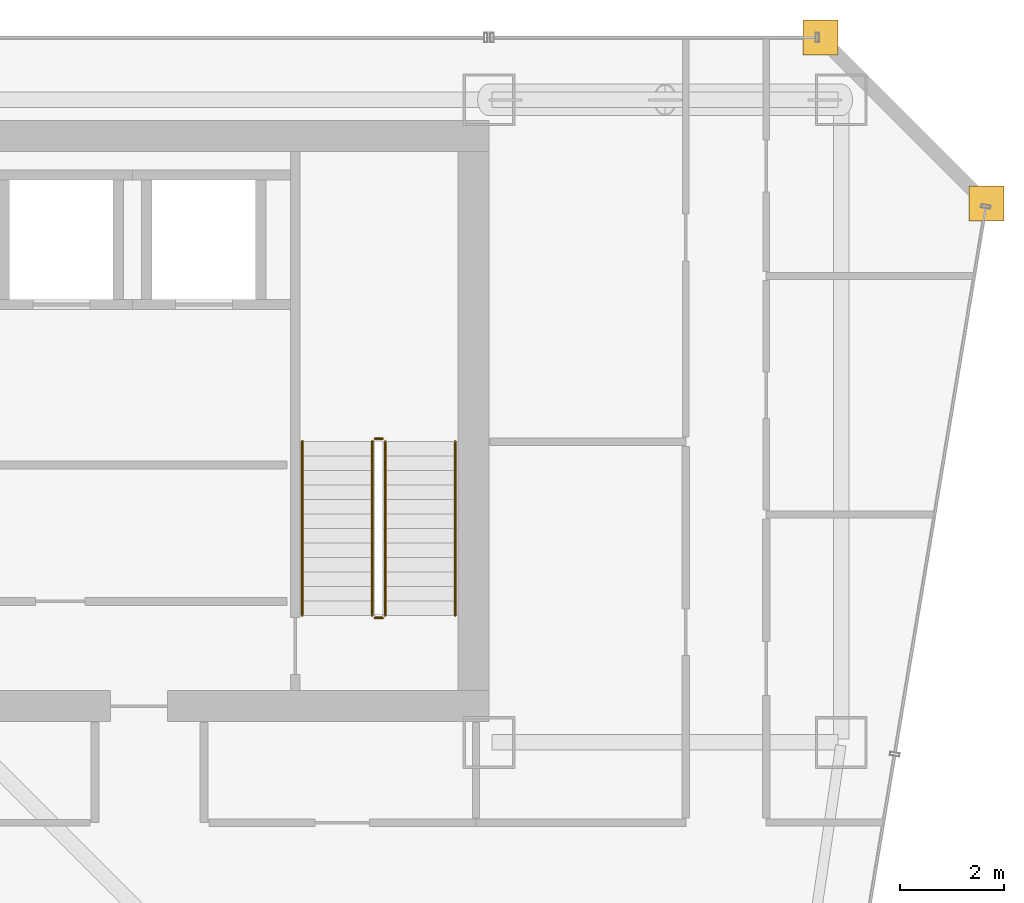
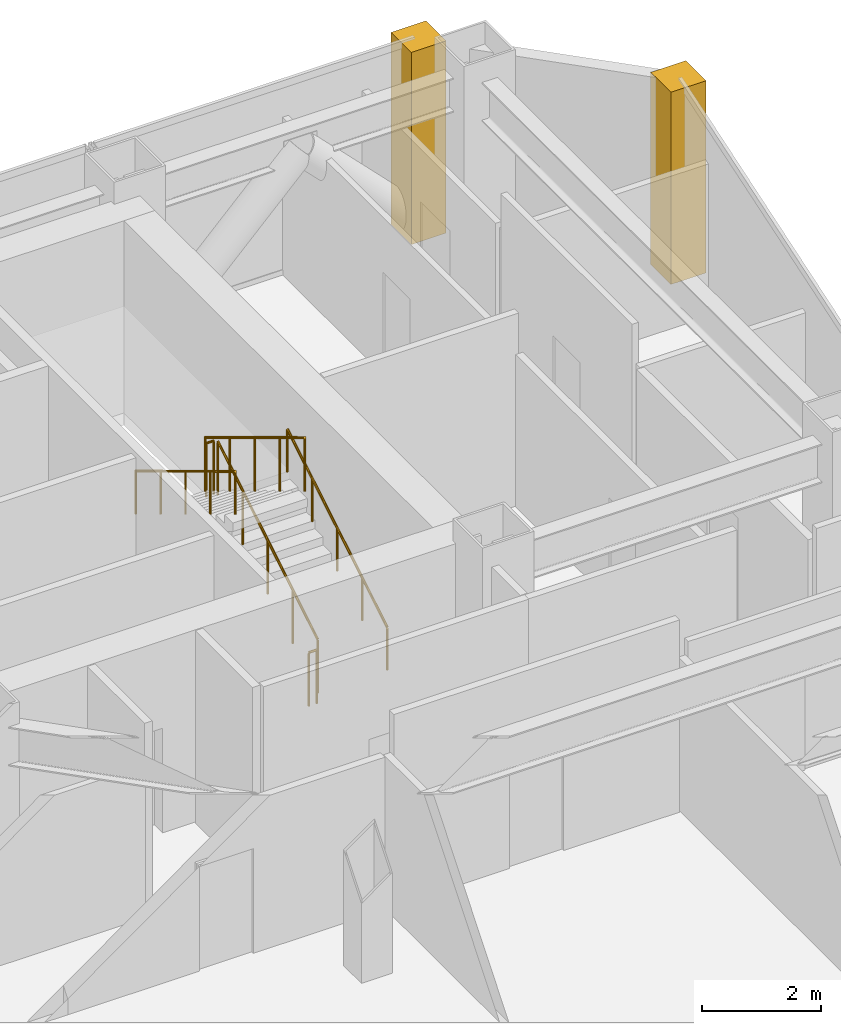
# One storey, part 36 of 36: 6 railings, 2 coverings.
"""IFC4 building model written with IfcOpenShell, lengths in metres."""

from ifc_helpers import new_model, si_unit, direction, frame, origin, origin_2d, place, context, subcontext, project, spatial, polyline, circle, outline, extrude, material, layer, layer_set, type_object, element, save


model = new_model("IFC4")

# Units and contexts
model_context = context("Model", 3, precision=1e-05, world=origin(), true_north=direction((0.0, 1.0)))
body_context = subcontext(model_context, "Body", "Model", "MODEL_VIEW")
ifc_project = project(units=[si_unit("LENGTHUNIT", "METRE"), si_unit("AREAUNIT", "SQUARE_METRE"), si_unit("VOLUMEUNIT", "CUBIC_METRE"), si_unit("PLANEANGLEUNIT", "RADIAN"), si_unit("MASSUNIT", "GRAM", prefix="KILO")], contexts=[model_context])

# Site, building, storey
site_placement = place(None, origin())
site = spatial("IfcSite", under=ifc_project, at=site_placement, CompositionType="ELEMENT")
building_placement = place(site_placement, origin())
building = spatial("IfcBuilding", under=site, at=building_placement, Name="Saevonmaru Cultural Tower", CompositionType="ELEMENT")
storey_placement = place(building_placement, frame((0.0, 0.0, 119.199951171875)))
storey = spatial("IfcBuildingStorey", under=building, at=storey_placement, Name="L25", CompositionType="ELEMENT", Elevation=119.199951171875)

# Coverings
ifc_material_1 = material(Name="Satin Bronze Anodised Aluminium", Category="aluminium")
ifc_layer = layer(ifc_material_1, 0.679931640625, Name="Satin Bronze Anodised Aluminium")
ifc_layer_set = layer_set([ifc_layer], Name="Satin Bronze Anodised Aluminium")
covering_type = type_object("IfcCoveringType", Name="CV-CORNER-CLAD", PredefinedType="CLADDING", material=ifc_layer_set)
covering_1_placement = place(storey_placement, origin())
element("IfcCovering", 1, at=covering_1_placement, inside=storey, type_object=covering_type, Name="L25 Tower Bronze Corner Cladding Pier 9", PredefinedType="CLADDING", context=body_context, shape_type="SweptSolid", body=[
    extrude(outline(polyline([(55.659912109375, 52.4599609375), (56.340087890625, 52.4599609375), (56.340087890625, 53.139892578125), (55.659912109375, 53.139892578125), (55.659912109375, 52.4599609375)])), origin(), (0.0, 0.0, 1.0), 3.949951171875),
])
covering_2_placement = place(storey_placement, origin())
element("IfcCovering", 2, at=covering_2_placement, inside=storey, type_object=covering_type, Name="L25 Tower Bronze Corner Cladding Pier 10", PredefinedType="CLADDING", context=body_context, shape_type="SweptSolid", body=[
    extrude(outline(polyline([(52.4599609375, 55.659912109375), (53.139892578125, 55.659912109375), (53.139892578125, 56.340087890625), (52.4599609375, 56.340087890625), (52.4599609375, 55.659912109375)])), origin(), (0.0, 0.0, 1.0), 3.949951171875),
])

# Railings
ifc_material_2 = material(Name="Architectural Painted Steel", Category="steel")
railing_type_1 = type_object("IfcRailingType", Name="RL-STAIR-GUARD", PredefinedType="GUARDRAIL", material=ifc_material_2)
railing_1_placement = place(storey_placement, frame((44.39990234375, 44.85009765625, 0.169189453125)))
element("IfcRailing", 3, at=railing_1_placement, inside=storey, type_object=railing_type_1, Name="L25 ST-2 stair guard 1", PredefinedType="GUARDRAIL", context=body_context, shape_type="SweptSolid", body=[
    extrude(circle(Radius=0.02392578125, at=origin_2d()), frame((0.0, 0.0, 1.09619140625), z_axis=(0.0, 0.855820338506, 0.51727318527), x_axis=(-1.0, 0.0, 0.0)), (0.0, 0.0, 1.0), 3.92578125),
    extrude(circle(Radius=0.02099609375, at=origin_2d()), origin(), (0.0, 0.0, 1.0), 1.072021484375),
    extrude(circle(Radius=0.02099609375, at=origin_2d()), frame((0.0, 0.83984375, 0.5078125)), (0.0, 0.0, 1.0), 1.072021484375),
    extrude(circle(Radius=0.02099609375, at=origin_2d()), frame((0.0, 1.679931640625, 1.015380859375)), (0.0, 0.0, 1.0), 1.072021484375),
    extrude(circle(Radius=0.02099609375, at=origin_2d()), frame((0.0, 2.52001953125, 1.52294921875)), (0.0, 0.0, 1.0), 1.072021484375),
    extrude(circle(Radius=0.02099609375, at=origin_2d()), frame((0.0, 3.35986328125, 2.03076171875)), (0.0, 0.0, 1.0), 1.072021484375),
])
railing_2_placement = place(storey_placement, frame((44.35009765625, 48.260009765625, 2.199951171875)))
element("IfcRailing", 4, at=railing_2_placement, inside=storey, type_object=railing_type_1, Name="L25 ST-2 stair guard 2", PredefinedType="GUARDRAIL", context=body_context, shape_type="SweptSolid", body=[
    extrude(circle(Radius=0.02392578125, at=origin_2d()), frame((0.0, 0.0, 1.09619140625), z_axis=(-1.0, 0.0, 0.0), x_axis=(0.0, -1.0, 0.0)), (0.0, 0.0, 1.0), 0.150146484375),
    extrude(circle(Radius=0.02099609375, at=origin_2d()), origin(), (0.0, 0.0, 1.0), 1.072021484375),
    extrude(circle(Radius=0.02099609375, at=origin_2d()), frame((-0.150146484375, 0.0, 0.0)), (0.0, 0.0, 1.0), 1.072021484375),
])
railing_3_placement = place(storey_placement, frame((44.14990234375, 48.2099609375, 2.369384765625)))
element("IfcRailing", 5, at=railing_3_placement, inside=storey, type_object=railing_type_1, Name="L25 ST-2 stair guard 3", PredefinedType="GUARDRAIL", context=body_context, shape_type="SweptSolid", body=[
    extrude(circle(Radius=0.02392578125, at=origin_2d()), frame((0.0, 0.0, 1.09619140625), z_axis=(0.0, -0.855820338506, 0.51727318527), x_axis=(1.0, 0.0, 0.0)), (0.0, 0.0, 1.0), 3.92578125),
    extrude(circle(Radius=0.02099609375, at=origin_2d()), origin(), (0.0, 0.0, 1.0), 1.072021484375),
    extrude(circle(Radius=0.02099609375, at=origin_2d()), frame((0.0, -0.83984375, 0.5078125)), (0.0, 0.0, 1.0), 1.072021484375),
    extrude(circle(Radius=0.02099609375, at=origin_2d()), frame((0.0, -1.679931640625, 1.015380859375)), (0.0, 0.0, 1.0), 1.072021484375),
    extrude(circle(Radius=0.02099609375, at=origin_2d()), frame((0.0, -2.52001953125, 1.52294921875)), (0.0, 0.0, 1.0), 1.072021484375),
    extrude(circle(Radius=0.02099609375, at=origin_2d()), frame((0.0, -3.35986328125, 2.03076171875)), (0.0, 0.0, 1.0), 1.072021484375),
])
railing_4_placement = place(storey_placement, frame((44.35009765625, 44.800048828125, 0.0)))
element("IfcRailing", 6, at=railing_4_placement, inside=storey, type_object=railing_type_1, Name="L25 ST-2 stair guard 4", PredefinedType="GUARDRAIL", context=body_context, shape_type="SweptSolid", body=[
    extrude(circle(Radius=0.02392578125, at=origin_2d()), frame((0.0, 0.0, 1.09619140625), z_axis=(-1.0, 0.0, 0.0), x_axis=(0.0, -1.0, 0.0)), (0.0, 0.0, 1.0), 0.150146484375),
    extrude(circle(Radius=0.02099609375, at=origin_2d()), origin(), (0.0, 0.0, 1.0), 1.072021484375),
    extrude(circle(Radius=0.02099609375, at=origin_2d()), frame((-0.150146484375, 0.0, 0.0)), (0.0, 0.0, 1.0), 1.072021484375),
])
railing_type_2 = type_object("IfcRailingType", Name="RL-STAIR-HANDRAIL", PredefinedType="HANDRAIL", material=ifc_material_1)
railing_5_placement = place(storey_placement, frame((45.75, 44.85009765625, 0.169189453125)))
element("IfcRailing", 7, at=railing_5_placement, inside=storey, type_object=railing_type_2, Name="L25 ST-2 stair handrail 1", PredefinedType="HANDRAIL", context=body_context, shape_type="SweptSolid", body=[
    extrude(circle(Radius=0.02392578125, at=origin_2d()), frame((0.0, 0.0, 0.8759765625), z_axis=(0.0, 0.855820338506, 0.51727318527), x_axis=(-1.0, 0.0, 0.0)), (0.0, 0.0, 1.0), 3.92578125),
    extrude(circle(Radius=0.02099609375, at=origin_2d()), origin(), (0.0, 0.0, 1.0), 0.851806640625),
    extrude(circle(Radius=0.02099609375, at=origin_2d()), frame((0.0, 0.83984375, 0.5078125)), (0.0, 0.0, 1.0), 0.851806640625),
    extrude(circle(Radius=0.02099609375, at=origin_2d()), frame((0.0, 1.679931640625, 1.015380859375)), (0.0, 0.0, 1.0), 0.851806640625),
    extrude(circle(Radius=0.02099609375, at=origin_2d()), frame((0.0, 2.52001953125, 1.52294921875)), (0.0, 0.0, 1.0), 0.851806640625),
    extrude(circle(Radius=0.02099609375, at=origin_2d()), frame((0.0, 3.35986328125, 2.03076171875)), (0.0, 0.0, 1.0), 0.851806640625),
])
railing_6_placement = place(storey_placement, frame((42.800048828125, 48.2099609375, 2.369384765625)))
element("IfcRailing", 8, at=railing_6_placement, inside=storey, type_object=railing_type_2, Name="L25 ST-2 stair handrail 2", PredefinedType="HANDRAIL", context=body_context, shape_type="SweptSolid", body=[
    extrude(circle(Radius=0.02392578125, at=origin_2d()), frame((0.0, 0.0, 0.8759765625), z_axis=(0.0, -0.855820338506, 0.51727318527), x_axis=(1.0, 0.0, 0.0)), (0.0, 0.0, 1.0), 3.92578125),
    extrude(circle(Radius=0.02099609375, at=origin_2d()), origin(), (0.0, 0.0, 1.0), 0.851806640625),
    extrude(circle(Radius=0.02099609375, at=origin_2d()), frame((0.0, -0.83984375, 0.5078125)), (0.0, 0.0, 1.0), 0.851806640625),
    extrude(circle(Radius=0.02099609375, at=origin_2d()), frame((0.0, -1.679931640625, 1.015380859375)), (0.0, 0.0, 1.0), 0.851806640625),
    extrude(circle(Radius=0.02099609375, at=origin_2d()), frame((0.0, -2.52001953125, 1.52294921875)), (0.0, 0.0, 1.0), 0.851806640625),
    extrude(circle(Radius=0.02099609375, at=origin_2d()), frame((0.0, -3.35986328125, 2.03076171875)), (0.0, 0.0, 1.0), 0.851806640625),
])

save(model, "model.ifc")
